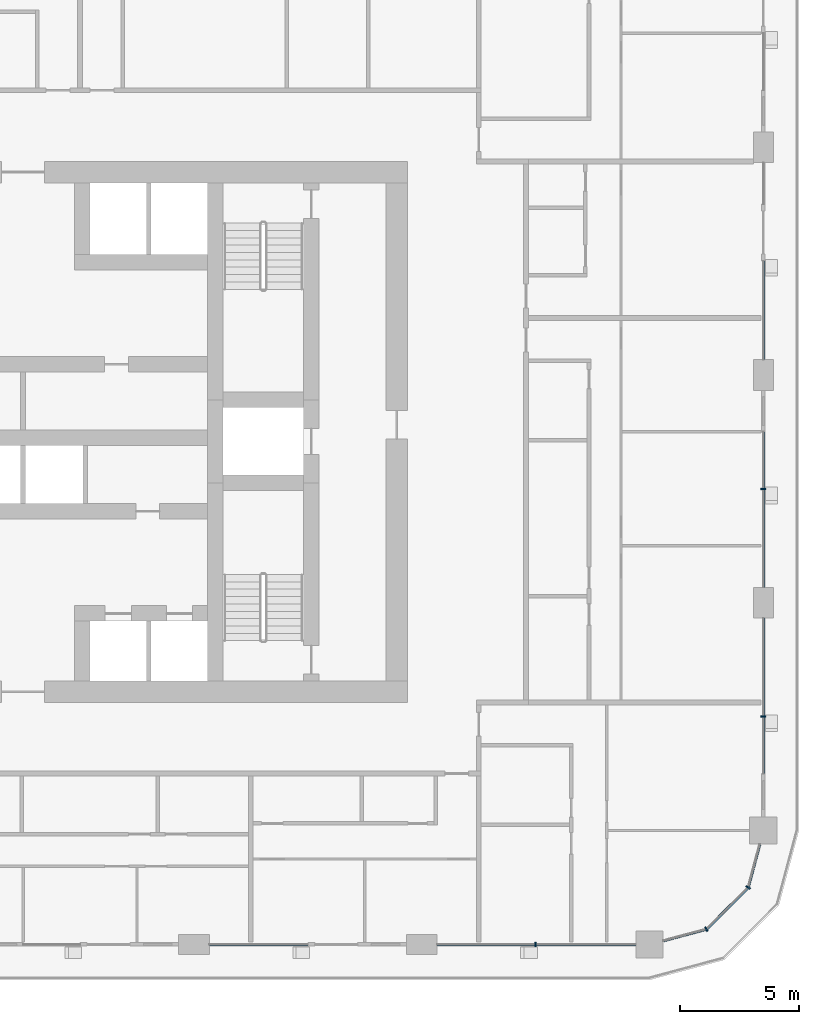
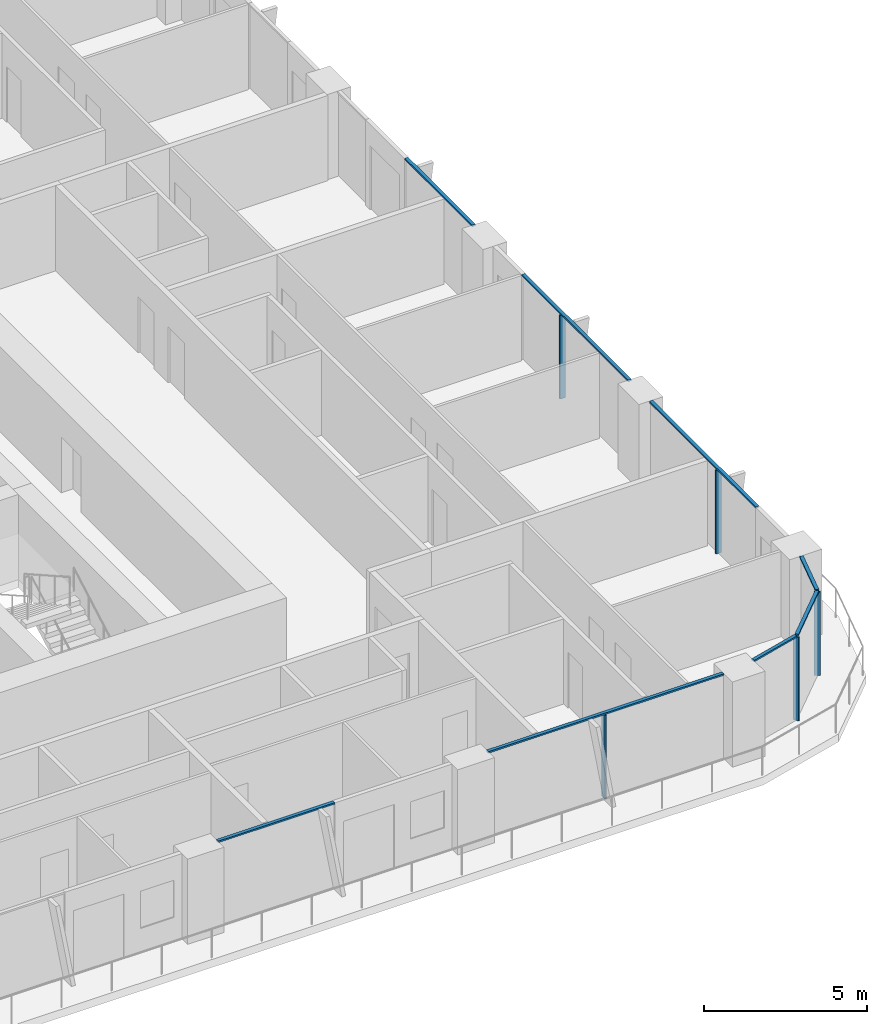
# One storey, part 4 of 21: 13 members, 6 elements without a shape of their own.
"""IFC4 building model written with IfcOpenShell, lengths in metres."""

import ifcopenshell
import ifcopenshell.guid

model = None  # the IFC model being written
_history = None  # IfcOwnerHistory: only IFC2X3 demands one
_inside = {}  # id of a spatial element -> (the spatial element, [elements in it])
_under = {}  # id of a project, library or spatial element -> (it, [spatial elements below it])
_declared = {}  # id of a project -> (the project, [libraries it declares])
_typed = {}  # id of a type object -> (the type object, [elements of that type])
_made_of = {}  # id of a material, layer set ... -> (it, [elements and type objects made of it])


def new_model(schema):
    """Start an empty IFC model of exactly this schema.

    Asked for "IFC4X3", IfcOpenShell would pick the latest addendum, in which some entities
    have other attributes; the version numbers below select the first issue.
    IFC2X3 requires an IfcOwnerHistory on every rooted entity: one is made here for all.
    """
    global model, _history
    if schema == "IFC4X3":
        model = ifcopenshell.file(schema_version=(4, 3, 0, 0))
    else:
        model = ifcopenshell.file(schema=schema)
    _inside.clear()
    _under.clear()
    _declared.clear()
    _typed.clear()
    _made_of.clear()
    _history = None
    if model.schema == "IFC2X3":
        org = make("IfcOrganization", Name="unknown")
        user = make(
            "IfcPersonAndOrganization",
            ThePerson=make("IfcPerson", FamilyName="unknown"),
            TheOrganization=org,
        )
        app = make(
            "IfcApplication",
            ApplicationDeveloper=org,
            Version="unknown",
            ApplicationFullName="unknown",
            ApplicationIdentifier="unknown",
        )
        _history = make(
            "IfcOwnerHistory",
            OwningUser=user,
            OwningApplication=app,
            ChangeAction="ADDED",
            CreationDate=0,
        )
    return model


def make(cls, **values):
    """One entity of the class cls with the attributes given. An attribute that is None is left unset."""
    return model.create_entity(
        cls, **{name: value for name, value in values.items() if value is not None}
    )


def rooted(cls, **values):
    """An entity with a GlobalId (a new one), such as an element, a storey or a relation."""
    return make(cls, GlobalId=ifcopenshell.guid.new(), OwnerHistory=_history, **values)


def si_unit(unit_type, name, prefix=None):
    """IfcSIUnit, for example si_unit("LENGTHUNIT", "METRE", prefix="MILLI")."""
    return make("IfcSIUnit", UnitType=unit_type, Prefix=prefix, Name=name)


def assignment(units):
    """IfcUnitAssignment: the units of a project."""
    return None if units is None else make("IfcUnitAssignment", Units=units)


def point(xyz):
    """IfcCartesianPoint."""
    return None if xyz is None else make("IfcCartesianPoint", Coordinates=xyz)


def direction(xyz):
    """IfcDirection."""
    return None if xyz is None else make("IfcDirection", DirectionRatios=xyz)


def frame(location, z_axis=None, x_axis=None):
    """IfcAxis2Placement3D, a coordinate frame: its origin and axes. An axis left out is left unset."""
    return make(
        "IfcAxis2Placement3D",
        Location=point(location),
        Axis=direction(z_axis),
        RefDirection=direction(x_axis),
    )


def frame_2d(location, x_axis=None):
    """IfcAxis2Placement2D, a coordinate frame in the plane: its origin and x axis."""
    return make(
        "IfcAxis2Placement2D", Location=point(location), RefDirection=direction(x_axis)
    )


def origin():
    """The frame at (0, 0, 0) with its axes left unset."""
    return frame((0.0, 0.0, 0.0))


def origin_2d():
    """The frame at (0, 0) in the plane with its x axis left unset."""
    return frame_2d((0.0, 0.0))


def place(relative_to, where):
    """IfcLocalPlacement: puts the frame where relative to a parent placement (None: the world)."""
    return make(
        "IfcLocalPlacement", PlacementRelTo=relative_to, RelativePlacement=where
    )


def context(
    kind, dimensions, precision=None, world=None, true_north=None, identifier=None
):
    """IfcGeometricRepresentationContext, for example the 3D "Model" context."""
    return make(
        "IfcGeometricRepresentationContext",
        ContextIdentifier=identifier,
        ContextType=kind,
        CoordinateSpaceDimension=dimensions,
        Precision=precision,
        WorldCoordinateSystem=world,
        TrueNorth=true_north,
    )


def subcontext(parent, identifier, kind, view, scale=None):
    """IfcGeometricRepresentationSubContext, for example "Body" below "Model"."""
    return make(
        "IfcGeometricRepresentationSubContext",
        ContextIdentifier=identifier,
        ContextType=kind,
        ParentContext=parent,
        TargetScale=scale,
        TargetView=view,
    )


def project(units=None, contexts=None):
    """IfcProject with its units and contexts."""
    return rooted(
        "IfcProject",
        Name="project",
        RepresentationContexts=contexts,
        UnitsInContext=assignment(units),
    )


def spatial(cls, under=None, at=None, **own):
    """A site, building, storey or space (cls), placed at a placement, below another one or the project."""
    s = rooted(cls, ObjectPlacement=at, **own)
    if under is not None:
        _under.setdefault(under.id(), (under, []))[1].append(s)
    return s


def profile(cls, at=None, kind="AREA", **sizes):
    """A parametric profile (cls). Its sizes go by their IFC names, for example OverallWidth=200.0."""
    return make(cls, ProfileType=kind, Position=at, **sizes)


def rectangle(**sizes):
    """IfcRectangleProfileDef."""
    return profile("IfcRectangleProfileDef", **sizes)


def extrude(swept, where, along, depth):
    """IfcExtrudedAreaSolid: the profile swept, set in the frame where, extruded along a direction by depth."""
    return make(
        "IfcExtrudedAreaSolid",
        SweptArea=swept,
        Position=where,
        ExtrudedDirection=direction(along),
        Depth=depth,
    )


def shape(context_of_items, identifier, shape_type, items):
    """IfcShapeRepresentation: the items that make up one representation, for example the "Body"."""
    return make(
        "IfcShapeRepresentation",
        ContextOfItems=context_of_items,
        RepresentationIdentifier=identifier,
        RepresentationType=shape_type,
        Items=items,
    )


def material(Name=None, Category=None):
    """IfcMaterial."""
    return make("IfcMaterial", Name=Name, Category=Category)


def layer(
    of_material, thickness, ventilated=None, Name=None, Category=None, Priority=None
):
    """IfcMaterialLayer: one layer of a wall or slab, of a material (None: an air gap)."""
    return make(
        "IfcMaterialLayer",
        Material=of_material,
        LayerThickness=thickness,
        IsVentilated=ventilated,
        Name=Name,
        Category=Category,
        Priority=Priority,
    )


def layer_set(layers, Name=None):
    """IfcMaterialLayerSet."""
    return make("IfcMaterialLayerSet", MaterialLayers=layers, LayerSetName=Name)


def material_profile(
    of_material, cross_section, Name=None, Category=None, Priority=None
):
    """IfcMaterialProfile: a cross section and its material."""
    return make(
        "IfcMaterialProfile",
        Name=Name,
        Material=of_material,
        Profile=cross_section,
        Priority=Priority,
        Category=Category,
    )


def profile_set(profiles, Name=None, composite=None):
    """IfcMaterialProfileSet."""
    return make(
        "IfcMaterialProfileSet",
        Name=Name,
        MaterialProfiles=profiles,
        CompositeProfile=composite,
    )


def made_of(thing, what):
    """Note that an element or type object is made of a material, layer set ...; save() writes the relation."""
    if what is not None:
        _made_of.setdefault(what.id(), (what, []))[1].append(thing)
    return thing


def type_object(cls, material=None, **own):
    """A type object (cls), such as IfcWallType, which elements share."""
    return made_of(rooted(cls, **own), material)


def element(
    cls,
    number,
    at=None,
    inside=None,
    cuts=None,
    type_object=None,
    material=None,
    context=None,
    identifier="Body",
    shape_type=None,
    held_by="IfcProductDefinitionShape",
    body=None,
    shapes=None,
    **own,
):
    """One element of the class cls, such as IfcWall. Its Tag is "e" and its number.

    at: its placement. inside: the storey or other place that contains it. cuts: it is an
    opening in that element (IfcRelVoidsElement). A single representation is given by context,
    identifier, shape_type and body (its items); several are given by shapes. held_by: the class
    of the entity that holds the representations. save() writes the other relations.
    """
    e = rooted(cls, Tag="e%d" % number, ObjectPlacement=at, **own)
    if body is not None:
        shapes = [shape(context, identifier, shape_type, body)]
    if shapes is not None:
        e.Representation = make(held_by, Representations=shapes)
    if inside is not None:
        _inside.setdefault(inside.id(), (inside, []))[1].append(e)
    if cuts is not None:
        rooted(
            "IfcRelVoidsElement", RelatingBuildingElement=cuts, RelatedOpeningElement=e
        )
    if type_object is not None:
        _typed.setdefault(type_object.id(), (type_object, []))[1].append(e)
    return made_of(e, material)


def aggregate(whole, parts):
    """IfcRelAggregates: a whole, such as a stair, and the parts it consists of."""
    return rooted("IfcRelAggregates", RelatingObject=whole, RelatedObjects=parts)


def save(model, path):
    """Write the relations noted so far, then the file.

    IfcRelAggregates (storeys below a building ...), IfcRelContainedInSpatialStructure (elements
    in a storey), IfcRelDefinesByType, IfcRelAssociatesMaterial and IfcRelDeclares: one each for
    every whole, place, type object, material and project.
    """
    for whole, parts in _under.values():
        aggregate(whole, parts)
    for where, things in _inside.values():
        rooted(
            "IfcRelContainedInSpatialStructure",
            RelatedElements=things,
            RelatingStructure=where,
        )
    for kind, things in _typed.values():
        rooted("IfcRelDefinesByType", RelatedObjects=things, RelatingType=kind)
    for what, things in _made_of.values():
        rooted("IfcRelAssociatesMaterial", RelatedObjects=things, RelatingMaterial=what)
    for by, libraries in _declared.values():
        rooted("IfcRelDeclares", RelatingContext=by, RelatedDefinitions=libraries)
    model.write(path)


model = new_model("IFC4")

# Units and contexts
model_context = context("Model", 3, precision=1e-05, world=origin(), true_north=direction((0.0, 1.0)))
body_context = subcontext(model_context, "Body", "Model", "MODEL_VIEW")
ifc_project = project(units=[si_unit("LENGTHUNIT", "METRE"), si_unit("AREAUNIT", "SQUARE_METRE"), si_unit("VOLUMEUNIT", "CUBIC_METRE"), si_unit("PLANEANGLEUNIT", "RADIAN"), si_unit("MASSUNIT", "GRAM", prefix="KILO")], contexts=[model_context])

# Site, building, storey
site_placement = place(None, origin())
site = spatial("IfcSite", under=ifc_project, at=site_placement, CompositionType="ELEMENT")
building_placement = place(site_placement, origin())
building = spatial("IfcBuilding", under=site, at=building_placement, Name="Madar Terraces", CompositionType="ELEMENT")
storey_placement = place(building_placement, frame((0.0, 0.0, 106.699951171875)))
storey = spatial("IfcBuildingStorey", under=building, at=storey_placement, Name="L27", CompositionType="ELEMENT", Elevation=106.699951171875)

# Curtain wall, member
ifc_material_1 = material(Name="Glass, ceramic frit dark grey, with black aluminium frame", Category="aluminium")
ifc_layer = layer(ifc_material_1, 0.199951171875)
ifc_layer_set = layer_set([ifc_layer], Name="Facade curtain wall, fritted glass")
curtain_wall_type = type_object("IfcCurtainWallType", Name="Facade curtain wall, fritted glass", PredefinedType="NOTDEFINED", material=ifc_layer_set)
curtain_wall_1_placement = place(storey_placement, origin())
curtain_wall_1 = element("IfcCurtainWall", 1, at=curtain_wall_1_placement, inside=storey, type_object=curtain_wall_type, Name="Outer skin curtain wall south bay 5", PredefinedType="NOTDEFINED")
ifc_material_2 = material(Name="Aluminium, black anodised", Category="aluminium")
ifc_material_profile_1 = material_profile(ifc_material_2, rectangle(XDim=0.199951171875, YDim=0.06005859375, at=origin_2d()), Name="Facade mullion 60x200")
ifc_profile_set_1 = profile_set([ifc_material_profile_1], Name="Aluminium, black anodised")
member_type_1 = type_object("IfcMemberType", Name="Facade mullion 60x200", PredefinedType="MULLION", material=ifc_profile_set_1)
member_1_placement = place(storey_placement, frame((52.800048828125, 4.800048828125, 0.0), z_axis=(0.0, 0.0, 1.0), x_axis=(0.0, 1.0, 0.0)))
member_1 = element("IfcMember", 2, at=member_1_placement, type_object=member_type_1, Name="Mullion 1", PredefinedType="MULLION", context=body_context, shape_type="SweptSolid", body=[
    extrude(rectangle(XDim=0.199951171875, YDim=0.06005859375, at=origin_2d()), origin(), (0.0, 0.0, 1.0), 3.14013671875),
])

curtain_wall_2_placement = place(storey_placement, origin())
curtain_wall_2 = element("IfcCurtainWall", 3, at=curtain_wall_2_placement, inside=storey, type_object=curtain_wall_type, Name="Outer skin curtain wall east bay 1", PredefinedType="NOTDEFINED")
member_2_placement = place(storey_placement, frame((62.39990234375, 14.39990234375, 0.0), z_axis=(0.0, 0.0, 1.0), x_axis=(-1.0, 0.0, 0.0)))
member_2 = element("IfcMember", 4, at=member_2_placement, type_object=member_type_1, Name="Mullion 1", PredefinedType="MULLION", context=body_context, shape_type="SweptSolid", body=[
    extrude(rectangle(XDim=0.199951171875, YDim=0.06005859375, at=origin_2d()), origin(), (0.0, 0.0, 1.0), 3.14013671875),
])

curtain_wall_3_placement = place(storey_placement, origin())
curtain_wall_3 = element("IfcCurtainWall", 5, at=curtain_wall_3_placement, inside=storey, type_object=curtain_wall_type, Name="Outer skin curtain wall east bay 2", PredefinedType="NOTDEFINED")
member_3_placement = place(storey_placement, frame((62.39990234375, 24.0, 0.0), z_axis=(0.0, 0.0, 1.0), x_axis=(-1.0, 0.0, 0.0)))
member_3 = element("IfcMember", 6, at=member_3_placement, type_object=member_type_1, Name="Mullion 1", PredefinedType="MULLION", context=body_context, shape_type="SweptSolid", body=[
    extrude(rectangle(XDim=0.199951171875, YDim=0.06005859375, at=origin_2d()), origin(), (0.0, 0.0, 1.0), 3.14013671875),
])

# Curtain wall, members
curtain_wall_4_placement = place(storey_placement, origin())
curtain_wall_4 = element("IfcCurtainWall", 7, at=curtain_wall_4_placement, inside=storey, type_object=curtain_wall_type, Name="Outer skin curtain wall south-east corner", PredefinedType="NOTDEFINED")
member_4_placement = place(storey_placement, frame((60.0, 5.443115234375, 0.0), z_axis=(0.0, 0.0, 1.0), x_axis=(-0.499999989586, 0.866025409797, 0.0)))
member_4 = element("IfcMember", 8, at=member_4_placement, type_object=member_type_1, Name="Mullion 1", PredefinedType="MULLION", context=body_context, shape_type="SweptSolid", body=[
    extrude(rectangle(XDim=0.199951171875, YDim=0.06005859375, at=origin_2d()), origin(), (0.0, 0.0, 1.0), 3.14013671875),
])
member_5_placement = place(storey_placement, frame((61.7568359375, 7.199951171875, 0.0), z_axis=(0.0, 0.0, 1.0), x_axis=(-0.866025409797, 0.499999989586, 0.0)))
member_5 = element("IfcMember", 9, at=member_5_placement, type_object=member_type_1, Name="Mullion 2", PredefinedType="MULLION", context=body_context, shape_type="SweptSolid", body=[
    extrude(rectangle(XDim=0.199951171875, YDim=0.06005859375, at=origin_2d()), origin(), (0.0, 0.0, 1.0), 3.14013671875),
])

# Curtain wall, member
curtain_wall_5_placement = place(storey_placement, origin())
curtain_wall_5 = element("IfcCurtainWall", 10, at=curtain_wall_5_placement, inside=storey, type_object=curtain_wall_type, Name="Outer skin curtain wall south bay 4", PredefinedType="NOTDEFINED")
ifc_material_3 = material(Name="Aluminium, black anodised", Category="aluminium")
ifc_material_profile_2 = material_profile(ifc_material_3, rectangle(XDim=0.1201171875, YDim=0.06005859375, at=origin_2d()), Name="Facade transom 60x120")
ifc_profile_set_2 = profile_set([ifc_material_profile_2], Name="Aluminium, black anodised")
member_type_2 = type_object("IfcMemberType", Name="Facade transom 60x120", PredefinedType="USERDEFINED", material=ifc_profile_set_2)
member_6_placement = place(storey_placement, frame((39.050048828125, 4.800048828125, 3.170166015625), z_axis=(1.0, 0.0, 0.0), x_axis=(0.0, 1.0, 0.0)))
member_6 = element("IfcMember", 11, at=member_6_placement, type_object=member_type_2, Name="Transom 1", ObjectType="TRANSOM", PredefinedType="USERDEFINED", context=body_context, shape_type="SweptSolid", body=[
    extrude(rectangle(XDim=0.1201171875, YDim=0.06005859375, at=origin_2d()), origin(), (0.0, 0.0, 1.0), 4.14990234375),
])
aggregate(curtain_wall_5, [member_6])

# Member
member_7_placement = place(storey_placement, frame((48.64990234375, 4.800048828125, 3.170166015625), z_axis=(1.0, 0.0, 0.0), x_axis=(0.0, 1.0, 0.0)))
member_7 = element("IfcMember", 12, at=member_7_placement, type_object=member_type_2, Name="Transom 1", ObjectType="TRANSOM", PredefinedType="USERDEFINED", context=body_context, shape_type="SweptSolid", body=[
    extrude(rectangle(XDim=0.1201171875, YDim=0.06005859375, at=origin_2d()), origin(), (0.0, 0.0, 1.0), 8.375),
])

aggregate(curtain_wall_1, [member_1, member_7])

member_8_placement = place(storey_placement, frame((62.39990234375, 12.0, 3.170166015625), z_axis=(0.0, 1.0, 0.0), x_axis=(-1.0, 0.0, 0.0)))
member_8 = element("IfcMember", 13, at=member_8_placement, type_object=member_type_2, Name="Transom 1", ObjectType="TRANSOM", PredefinedType="USERDEFINED", context=body_context, shape_type="SweptSolid", body=[
    extrude(rectangle(XDim=0.1201171875, YDim=0.06005859375, at=origin_2d()), origin(), (0.0, 0.0, 1.0), 6.550048828125),
])

aggregate(curtain_wall_2, [member_2, member_8])

member_9_placement = place(storey_placement, frame((62.39990234375, 19.85009765625, 3.170166015625), z_axis=(0.0, 1.0, 0.0), x_axis=(-1.0, 0.0, 0.0)))
member_9 = element("IfcMember", 14, at=member_9_placement, type_object=member_type_2, Name="Transom 1", ObjectType="TRANSOM", PredefinedType="USERDEFINED", context=body_context, shape_type="SweptSolid", body=[
    extrude(rectangle(XDim=0.1201171875, YDim=0.06005859375, at=origin_2d()), origin(), (0.0, 0.0, 1.0), 6.5498046875),
])

aggregate(curtain_wall_3, [member_3, member_9])

# Curtain wall, member
curtain_wall_6_placement = place(storey_placement, origin())
curtain_wall_6 = element("IfcCurtainWall", 15, at=curtain_wall_6_placement, inside=storey, type_object=curtain_wall_type, Name="Outer skin curtain wall east bay 3", PredefinedType="NOTDEFINED")
member_10_placement = place(storey_placement, frame((62.39990234375, 29.449951171875, 3.170166015625), z_axis=(0.0, 1.0, 0.0), x_axis=(-1.0, 0.0, 0.0)))
member_10 = element("IfcMember", 16, at=member_10_placement, type_object=member_type_2, Name="Transom 1", ObjectType="TRANSOM", PredefinedType="USERDEFINED", context=body_context, shape_type="SweptSolid", body=[
    extrude(rectangle(XDim=0.1201171875, YDim=0.06005859375, at=origin_2d()), origin(), (0.0, 0.0, 1.0), 4.150146484375),
])
aggregate(curtain_wall_6, [member_10])

# Member
member_11_placement = place(storey_placement, frame((58.175048828125, 4.9541015625, 3.170166015625), z_axis=(0.965926950947, 0.258814847786, 0.0), x_axis=(-0.258814847786, 0.965926950947, 0.0)))
member_11 = element("IfcMember", 17, at=member_11_placement, type_object=member_type_2, Name="Transom 1", ObjectType="TRANSOM", PredefinedType="USERDEFINED", context=body_context, shape_type="SweptSolid", body=[
    extrude(rectangle(XDim=0.1201171875, YDim=0.06005859375, at=origin_2d()), origin(), (0.0, 0.0, 1.0), 1.859130859375),
])

member_12_placement = place(storey_placement, frame((60.021240234375, 5.46435546875, 3.170166015625), z_axis=(0.707106781187, 0.707106781187, 0.0), x_axis=(-0.707106781187, 0.707106781187, 0.0)))
member_12 = element("IfcMember", 18, at=member_12_placement, type_object=member_type_2, Name="Transom 2", ObjectType="TRANSOM", PredefinedType="USERDEFINED", context=body_context, shape_type="SweptSolid", body=[
    extrude(rectangle(XDim=0.1201171875, YDim=0.06005859375, at=origin_2d()), origin(), (0.0, 0.0, 1.0), 2.424560546875),
])

member_13_placement = place(storey_placement, frame((61.7646484375, 7.22900390625, 3.170166015625), z_axis=(0.258814847786, 0.965926950947, 0.0), x_axis=(-0.965926950947, 0.258814847786, 0.0)))
member_13 = element("IfcMember", 19, at=member_13_placement, type_object=member_type_2, Name="Transom 3", ObjectType="TRANSOM", PredefinedType="USERDEFINED", context=body_context, shape_type="SweptSolid", body=[
    extrude(rectangle(XDim=0.1201171875, YDim=0.06005859375, at=origin_2d()), origin(), (0.0, 0.0, 1.0), 1.859130859375),
])

aggregate(curtain_wall_4, [member_4, member_11, member_5, member_12, member_13])

save(model, "model.ifc")
